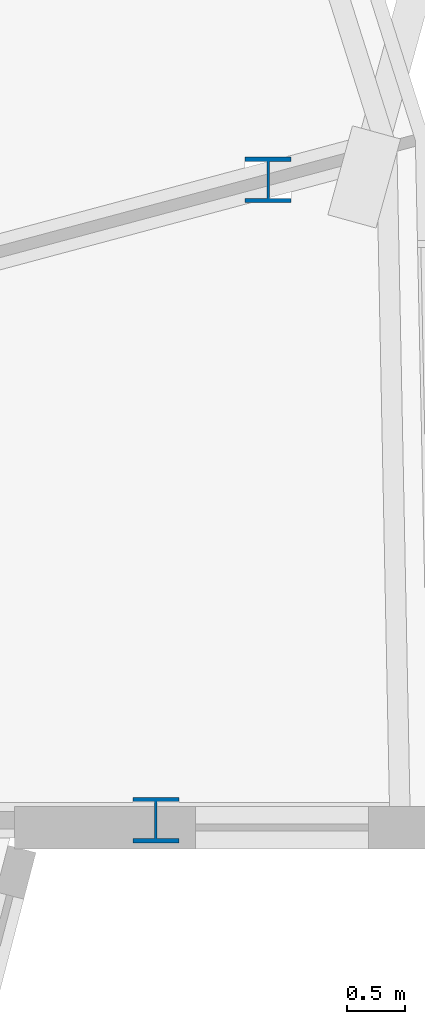
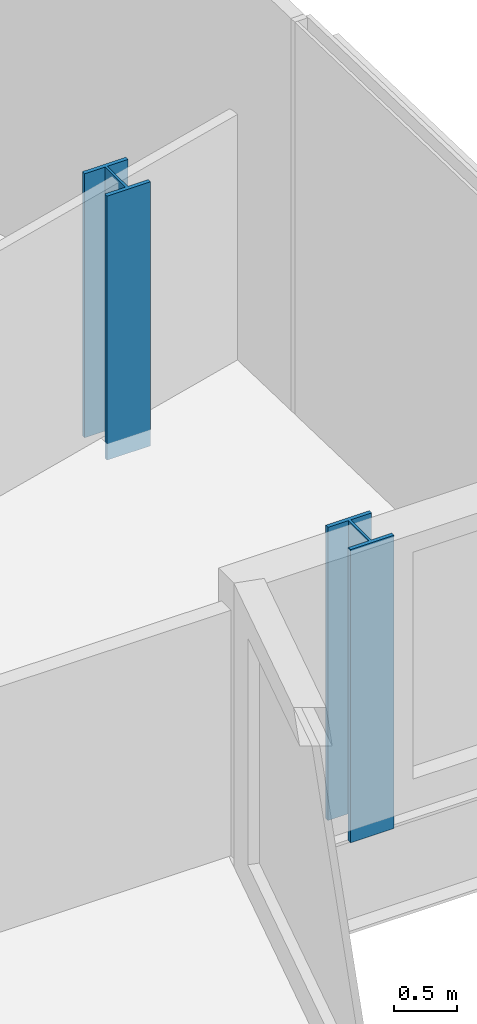
# One storey, part 2 of 38: 2 columns.
"""IFC4 building model written with IfcOpenShell, lengths in metres."""

from ifc_helpers import new_model, si_unit, direction, frame, origin, origin_2d, place, context, subcontext, project, spatial, i_section, extrude, material, material_profile, profile_set, type_object, element, save


model = new_model("IFC4")

# Units and contexts
model_context = context("Model", 3, precision=1e-05, world=origin(), true_north=direction((0.0, 1.0)))
body_context = subcontext(model_context, "Body", "Model", "MODEL_VIEW")
ifc_project = project(units=[si_unit("LENGTHUNIT", "METRE"), si_unit("AREAUNIT", "SQUARE_METRE"), si_unit("VOLUMEUNIT", "CUBIC_METRE"), si_unit("PLANEANGLEUNIT", "RADIAN"), si_unit("MASSUNIT", "GRAM", prefix="KILO")], contexts=[model_context])

# Site, building, storey
site_placement = place(None, origin())
site = spatial("IfcSite", under=ifc_project, at=site_placement, CompositionType="ELEMENT")
building_placement = place(site_placement, origin())
building = spatial("IfcBuilding", under=site, at=building_placement, Name="Rimbun Link Towers", CompositionType="ELEMENT")
storey_placement = place(building_placement, frame((0.0, 0.0, 71.800048828125)))
storey = spatial("IfcBuildingStorey", under=building, at=storey_placement, Name="L17", CompositionType="ELEMENT", Elevation=71.800048828125)

# Columns
ifc_material = material(Name="Steel S355J2", Category="steel")
ifc_material_profile = material_profile(ifc_material, i_section(OverallWidth=0.39892578125, OverallDepth=0.3935546875, WebThickness=0.022705078125, FlangeThickness=0.03662109375, at=origin_2d()), Name="UC 356x406x287")
ifc_profile_set = profile_set([ifc_material_profile], Name="Steel S355J2")
column_type = type_object("IfcColumnType", Name="UC 356x406x287", PredefinedType="COLUMN", material=ifc_profile_set)
column_1_placement = place(storey_placement, frame((51.503662109375, 0.0, -0.16015625), z_axis=(0.0, 0.0, 1.0), x_axis=(1.0, 0.0, 0.0)))
element("IfcColumn", 1, at=column_1_placement, inside=storey, type_object=column_type, Name="Crease post T2 L17 21", PredefinedType="COLUMN", context=body_context, shape_type="SweptSolid", body=[
    extrude(i_section(OverallWidth=0.39892578125, OverallDepth=0.3935546875, WebThickness=0.022705078125, FlangeThickness=0.03662109375, at=origin_2d()), origin(), (0.0, 0.0, 1.0), 2.841796875),
])
column_2_placement = place(storey_placement, frame((52.478515625, 5.55419921875, -0.16015625), z_axis=(0.0, 0.0, 1.0), x_axis=(1.0, 0.0, 0.0)))
element("IfcColumn", 2, at=column_2_placement, inside=storey, type_object=column_type, Name="Crease post T2 L17 22", PredefinedType="COLUMN", context=body_context, shape_type="SweptSolid", body=[
    extrude(i_section(OverallWidth=0.39892578125, OverallDepth=0.3935546875, WebThickness=0.022705078125, FlangeThickness=0.03662109375, at=origin_2d()), origin(), (0.0, 0.0, 1.0), 2.56005859375),
])

save(model, "model.ifc")
